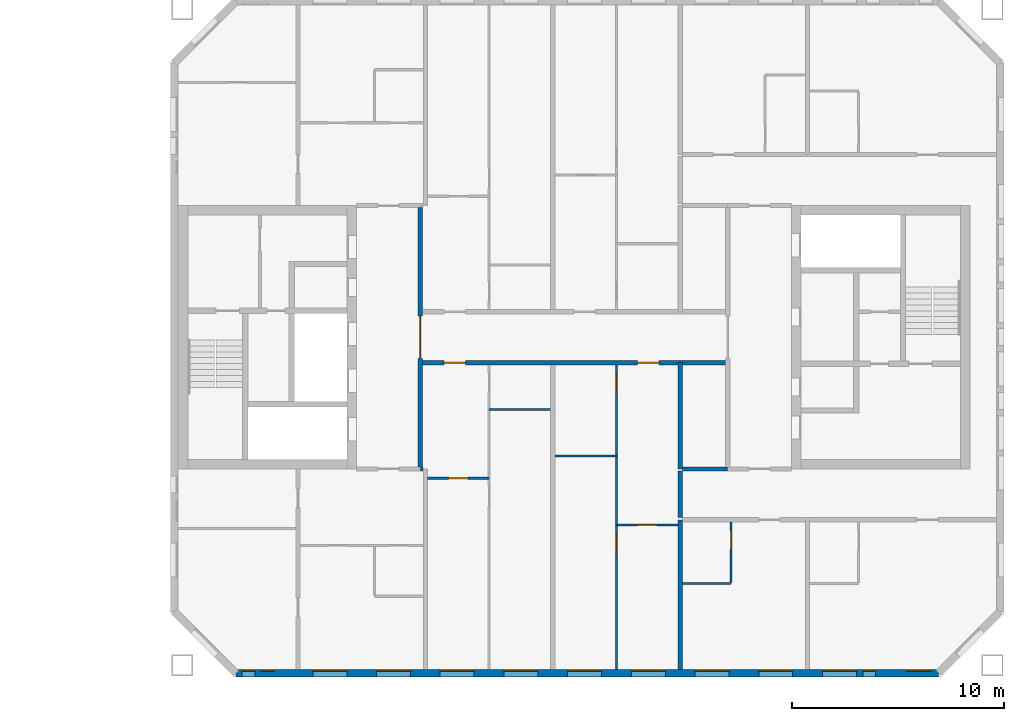
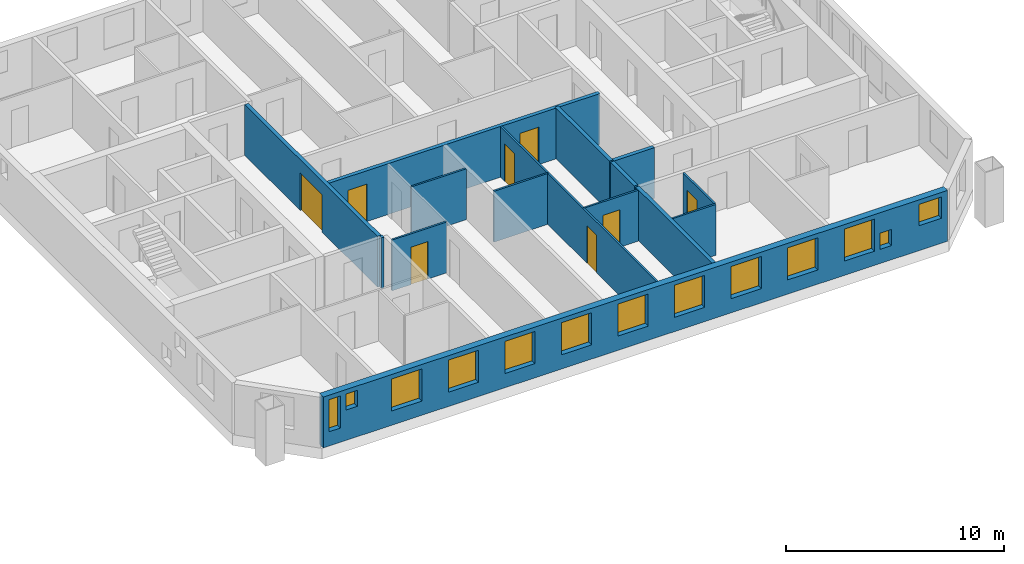
# One storey, part 10 of 16: 15 walls, 13 windows, 8 doors, 21 openings.
"""IFC4 building model written with IfcOpenShell, lengths in metres."""

from ifc_helpers import new_model, si_unit, direction, frame, frame_2d, origin, place, context, subcontext, project, spatial, rectangle, extrude, material, layer, layer_set, type_object, element, fill, save


model = new_model("IFC4")

# Units and contexts
model_context = context("Model", 3, precision=1e-05, world=origin(), true_north=direction((0.0, 1.0)))
body_context = subcontext(model_context, "Body", "Model", "MODEL_VIEW")
ifc_project = project(units=[si_unit("LENGTHUNIT", "METRE"), si_unit("AREAUNIT", "SQUARE_METRE"), si_unit("VOLUMEUNIT", "CUBIC_METRE"), si_unit("PLANEANGLEUNIT", "RADIAN"), si_unit("MASSUNIT", "GRAM", prefix="KILO")], contexts=[model_context])

# Site, building, storey
site_placement = place(None, origin())
site = spatial("IfcSite", under=ifc_project, at=site_placement, CompositionType="ELEMENT")
building_placement = place(site_placement, origin())
building = spatial("IfcBuilding", under=site, at=building_placement, Name="Tuart Gate Housing", CompositionType="ELEMENT")
storey_placement = place(building_placement, frame((0.0, 0.0, 175.800048828125)))
storey = spatial("IfcBuildingStorey", under=building, at=storey_placement, Name="L49", CompositionType="ELEMENT", Elevation=175.800048828125)

# Wall, openings, windows
ifc_material_1 = material(Name="Brick", Category="masonry")
ifc_layer_1 = layer(ifc_material_1, 0.360107421875)
ifc_layer_set_1 = layer_set([ifc_layer_1], Name="Brick pier and spandrel wall 360")
wall_type_1 = type_object("IfcWallType", Name="Brick pier and spandrel wall 360", PredefinedType="STANDARD", material=ifc_layer_set_1)
wall_1_placement = place(storey_placement, frame((134.07470703125, 54.179931640625, 0.0), z_axis=(0.0, 0.0, 1.0), x_axis=(1.0, 0.0, 0.0)))
wall_1 = element("IfcWall", 1, at=wall_1_placement, inside=storey, type_object=wall_type_1, Name="External wall B-S L49", PredefinedType="STANDARD", context=body_context, shape_type="SweptSolid", body=[
    extrude(rectangle(XDim=33.100830078125, YDim=0.360107421875, at=frame_2d((16.55029296875, 0.0))), origin(), (0.0, 0.0, 1.0), 2.849853515625),
])
opening_1_placement = place(wall_1_placement, frame((0.300048828125, 0.0, 0.800048828125)))
opening_1 = element("IfcOpeningElement", 2, at=opening_1_placement, cuts=wall_1, Name="Opening W1E", PredefinedType="OPENING", context=body_context, shape_type="SweptSolid", body=[
    extrude(rectangle(XDim=0.60009765625, YDim=1.800048828125, at=frame_2d((0.300048828125, 0.89990234375))), frame((0.0, 0.18994140625, 0.0), z_axis=(0.0, -1.0, 0.0), x_axis=(1.0, 0.0, 0.0)), (0.0, 0.0, 1.0), 0.380126953125),
])
opening_2_placement = place(wall_1_placement, frame((3.62548828125, 0.0, 0.800048828125)))
opening_2 = element("IfcOpeningElement", 3, at=opening_2_placement, cuts=wall_1, Name="Opening W1", PredefinedType="OPENING", context=body_context, shape_type="SweptSolid", body=[
    extrude(rectangle(XDim=1.60009765625, YDim=1.800048828125, at=frame_2d((0.800048828125, 0.89990234375))), frame((0.0, 0.18994140625, 0.0), z_axis=(0.0, -1.0, 0.0), x_axis=(1.0, 0.0, 0.0)), (0.0, 0.0, 1.0), 0.380126953125),
])
opening_3_placement = place(wall_1_placement, frame((6.62548828125, 0.0, 0.800048828125)))
opening_3 = element("IfcOpeningElement", 4, at=opening_3_placement, cuts=wall_1, Name="Opening W1", PredefinedType="OPENING", context=body_context, shape_type="SweptSolid", body=[
    extrude(rectangle(XDim=1.60009765625, YDim=1.800048828125, at=frame_2d((0.800048828125, 0.89990234375))), frame((0.0, 0.18994140625, 0.0), z_axis=(0.0, -1.0, 0.0), x_axis=(1.0, 0.0, 0.0)), (0.0, 0.0, 1.0), 0.380126953125),
])
opening_4_placement = place(wall_1_placement, frame((9.62548828125, 0.0, 0.800048828125)))
opening_4 = element("IfcOpeningElement", 5, at=opening_4_placement, cuts=wall_1, Name="Opening W1", PredefinedType="OPENING", context=body_context, shape_type="SweptSolid", body=[
    extrude(rectangle(XDim=1.60009765625, YDim=1.800048828125, at=frame_2d((0.800048828125, 0.89990234375))), frame((0.0, 0.18994140625, 0.0), z_axis=(0.0, -1.0, 0.0), x_axis=(1.0, 0.0, 0.0)), (0.0, 0.0, 1.0), 0.380126953125),
])
opening_5_placement = place(wall_1_placement, frame((12.62548828125, 0.0, 0.800048828125)))
opening_5 = element("IfcOpeningElement", 6, at=opening_5_placement, cuts=wall_1, Name="Opening W1", PredefinedType="OPENING", context=body_context, shape_type="SweptSolid", body=[
    extrude(rectangle(XDim=1.60009765625, YDim=1.800048828125, at=frame_2d((0.800048828125, 0.89990234375))), frame((0.0, 0.18994140625, 0.0), z_axis=(0.0, -1.0, 0.0), x_axis=(1.0, 0.0, 0.0)), (0.0, 0.0, 1.0), 0.380126953125),
])
opening_6_placement = place(wall_1_placement, frame((15.62548828125, 0.0, 0.800048828125)))
opening_6 = element("IfcOpeningElement", 7, at=opening_6_placement, cuts=wall_1, Name="Opening W1", PredefinedType="OPENING", context=body_context, shape_type="SweptSolid", body=[
    extrude(rectangle(XDim=1.60009765625, YDim=1.800048828125, at=frame_2d((0.800048828125, 0.89990234375))), frame((0.0, 0.18994140625, 0.0), z_axis=(0.0, -1.0, 0.0), x_axis=(1.0, 0.0, 0.0)), (0.0, 0.0, 1.0), 0.380126953125),
])
opening_7_placement = place(wall_1_placement, frame((18.62548828125, 0.0, 0.800048828125)))
opening_7 = element("IfcOpeningElement", 8, at=opening_7_placement, cuts=wall_1, Name="Opening W1", PredefinedType="OPENING", context=body_context, shape_type="SweptSolid", body=[
    extrude(rectangle(XDim=1.60009765625, YDim=1.800048828125, at=frame_2d((0.800048828125, 0.89990234375))), frame((0.0, 0.18994140625, 0.0), z_axis=(0.0, -1.0, 0.0), x_axis=(1.0, 0.0, 0.0)), (0.0, 0.0, 1.0), 0.380126953125),
])
opening_8_placement = place(wall_1_placement, frame((21.62548828125, 0.0, 0.800048828125)))
opening_8 = element("IfcOpeningElement", 9, at=opening_8_placement, cuts=wall_1, Name="Opening W1", PredefinedType="OPENING", context=body_context, shape_type="SweptSolid", body=[
    extrude(rectangle(XDim=1.60009765625, YDim=1.800048828125, at=frame_2d((0.800048828125, 0.89990234375))), frame((0.0, 0.18994140625, 0.0), z_axis=(0.0, -1.0, 0.0), x_axis=(1.0, 0.0, 0.0)), (0.0, 0.0, 1.0), 0.380126953125),
])
opening_9_placement = place(wall_1_placement, frame((24.62548828125, 0.0, 0.800048828125)))
opening_9 = element("IfcOpeningElement", 10, at=opening_9_placement, cuts=wall_1, Name="Opening W1", PredefinedType="OPENING", context=body_context, shape_type="SweptSolid", body=[
    extrude(rectangle(XDim=1.60009765625, YDim=1.800048828125, at=frame_2d((0.800048828125, 0.89990234375))), frame((0.0, 0.18994140625, 0.0), z_axis=(0.0, -1.0, 0.0), x_axis=(1.0, 0.0, 0.0)), (0.0, 0.0, 1.0), 0.380126953125),
])
opening_10_placement = place(wall_1_placement, frame((27.62548828125, 0.0, 0.800048828125)))
opening_10 = element("IfcOpeningElement", 11, at=opening_10_placement, cuts=wall_1, Name="Opening W1", PredefinedType="OPENING", context=body_context, shape_type="SweptSolid", body=[
    extrude(rectangle(XDim=1.60009765625, YDim=1.800048828125, at=frame_2d((0.800048828125, 0.89990234375))), frame((0.0, 0.18994140625, 0.0), z_axis=(0.0, -1.0, 0.0), x_axis=(1.0, 0.0, 0.0)), (0.0, 0.0, 1.0), 0.380126953125),
])
opening_11_placement = place(wall_1_placement, frame((29.525390625, 0.0, 0.800048828125)))
opening_11 = element("IfcOpeningElement", 12, at=opening_11_placement, cuts=wall_1, Name="Opening W1W", PredefinedType="OPENING", context=body_context, shape_type="SweptSolid", body=[
    extrude(rectangle(XDim=0.60009765625, YDim=0.89990234375, at=frame_2d((0.300048828125, 0.449951171875))), frame((0.0, 0.18994140625, 0.0), z_axis=(0.0, -1.0, 0.0), x_axis=(1.0, 0.0, 0.0)), (0.0, 0.0, 1.0), 0.380126953125),
])
opening_12_placement = place(wall_1_placement, frame((1.199951171875, 0.0, 1.699951171875)))
opening_12 = element("IfcOpeningElement", 13, at=opening_12_placement, cuts=wall_1, Name="Opening W1W", PredefinedType="OPENING", context=body_context, shape_type="SweptSolid", body=[
    extrude(rectangle(XDim=0.60009765625, YDim=0.89990234375, at=frame_2d((0.300048828125, 0.449951171875))), frame((0.0, 0.18994140625, 0.0), z_axis=(0.0, -1.0, 0.0), x_axis=(1.0, 0.0, 0.0)), (0.0, 0.0, 1.0), 0.380126953125),
])
opening_13_placement = place(wall_1_placement, frame((31.575439453125, 0.0, 1.39990234375)))
opening_13 = element("IfcOpeningElement", 14, at=opening_13_placement, cuts=wall_1, Name="Opening W1N", PredefinedType="OPENING", context=body_context, shape_type="SweptSolid", body=[
    extrude(rectangle(XDim=1.199951171875, YDim=1.199951171875, at=frame_2d((0.60009765625, 0.60009765625))), frame((0.0, 0.18994140625, 0.0), z_axis=(0.0, -1.0, 0.0), x_axis=(1.0, 0.0, 0.0)), (0.0, 0.0, 1.0), 0.380126953125),
])
ifc_material_2 = material(Name="Aluminium frame with clear glass", Category="aluminium")
window_type_1 = type_object("IfcWindowType", Name="Punched window 1200 x 1200", PartitioningType="SINGLE_PANEL", PredefinedType="WINDOW", material=ifc_material_2)
window_1_placement = place(opening_13_placement, origin())
window_1 = element("IfcWindow", 15, at=window_1_placement, inside=storey, type_object=window_type_1, Name="Window W1N", OverallHeight=1.199951171875, OverallWidth=1.199951171875, PartitioningType="SINGLE_PANEL", PredefinedType="WINDOW", context=body_context, shape_type="SweptSolid", body=[
    extrude(rectangle(XDim=1.199951171875, YDim=1.199951171875, at=frame_2d((0.60009765625, 0.60009765625))), frame((0.0, 0.150146484375, 0.0), z_axis=(0.0, -1.0, 0.0), x_axis=(1.0, 0.0, 0.0)), (0.0, 0.0, 1.0), 0.06005859375),
])
fill(opening_13, window_1)
ifc_material_3 = material(Name="Aluminium frame with clear glass", Category="aluminium")
window_type_2 = type_object("IfcWindowType", Name="Punched window 1600 x 1800", PartitioningType="SINGLE_PANEL", PredefinedType="WINDOW", material=ifc_material_3)
window_2_placement = place(opening_2_placement, origin())
window_2 = element("IfcWindow", 16, at=window_2_placement, inside=storey, type_object=window_type_2, Name="Window W1", OverallHeight=1.800048828125, OverallWidth=1.60009765625, PartitioningType="SINGLE_PANEL", PredefinedType="WINDOW", context=body_context, shape_type="SweptSolid", body=[
    extrude(rectangle(XDim=1.60009765625, YDim=1.800048828125, at=frame_2d((0.800048828125, 0.89990234375))), frame((0.0, 0.150146484375, 0.0), z_axis=(0.0, -1.0, 0.0), x_axis=(1.0, 0.0, 0.0)), (0.0, 0.0, 1.0), 0.06005859375),
])
fill(opening_2, window_2)
window_3_placement = place(opening_3_placement, origin())
window_3 = element("IfcWindow", 17, at=window_3_placement, inside=storey, type_object=window_type_2, Name="Window W1", OverallHeight=1.800048828125, OverallWidth=1.60009765625, PartitioningType="SINGLE_PANEL", PredefinedType="WINDOW", context=body_context, shape_type="SweptSolid", body=[
    extrude(rectangle(XDim=1.60009765625, YDim=1.800048828125, at=frame_2d((0.800048828125, 0.89990234375))), frame((0.0, 0.150146484375, 0.0), z_axis=(0.0, -1.0, 0.0), x_axis=(1.0, 0.0, 0.0)), (0.0, 0.0, 1.0), 0.06005859375),
])
fill(opening_3, window_3)
window_4_placement = place(opening_4_placement, origin())
window_4 = element("IfcWindow", 18, at=window_4_placement, inside=storey, type_object=window_type_2, Name="Window W1", OverallHeight=1.800048828125, OverallWidth=1.60009765625, PartitioningType="SINGLE_PANEL", PredefinedType="WINDOW", context=body_context, shape_type="SweptSolid", body=[
    extrude(rectangle(XDim=1.60009765625, YDim=1.800048828125, at=frame_2d((0.800048828125, 0.89990234375))), frame((0.0, 0.150146484375, 0.0), z_axis=(0.0, -1.0, 0.0), x_axis=(1.0, 0.0, 0.0)), (0.0, 0.0, 1.0), 0.06005859375),
])
fill(opening_4, window_4)
window_5_placement = place(opening_5_placement, origin())
window_5 = element("IfcWindow", 19, at=window_5_placement, inside=storey, type_object=window_type_2, Name="Window W1", OverallHeight=1.800048828125, OverallWidth=1.60009765625, PartitioningType="SINGLE_PANEL", PredefinedType="WINDOW", context=body_context, shape_type="SweptSolid", body=[
    extrude(rectangle(XDim=1.60009765625, YDim=1.800048828125, at=frame_2d((0.800048828125, 0.89990234375))), frame((0.0, 0.150146484375, 0.0), z_axis=(0.0, -1.0, 0.0), x_axis=(1.0, 0.0, 0.0)), (0.0, 0.0, 1.0), 0.06005859375),
])
fill(opening_5, window_5)
window_6_placement = place(opening_6_placement, origin())
window_6 = element("IfcWindow", 20, at=window_6_placement, inside=storey, type_object=window_type_2, Name="Window W1", OverallHeight=1.800048828125, OverallWidth=1.60009765625, PartitioningType="SINGLE_PANEL", PredefinedType="WINDOW", context=body_context, shape_type="SweptSolid", body=[
    extrude(rectangle(XDim=1.60009765625, YDim=1.800048828125, at=frame_2d((0.800048828125, 0.89990234375))), frame((0.0, 0.150146484375, 0.0), z_axis=(0.0, -1.0, 0.0), x_axis=(1.0, 0.0, 0.0)), (0.0, 0.0, 1.0), 0.06005859375),
])
fill(opening_6, window_6)
window_7_placement = place(opening_7_placement, origin())
window_7 = element("IfcWindow", 21, at=window_7_placement, inside=storey, type_object=window_type_2, Name="Window W1", OverallHeight=1.800048828125, OverallWidth=1.60009765625, PartitioningType="SINGLE_PANEL", PredefinedType="WINDOW", context=body_context, shape_type="SweptSolid", body=[
    extrude(rectangle(XDim=1.60009765625, YDim=1.800048828125, at=frame_2d((0.800048828125, 0.89990234375))), frame((0.0, 0.150146484375, 0.0), z_axis=(0.0, -1.0, 0.0), x_axis=(1.0, 0.0, 0.0)), (0.0, 0.0, 1.0), 0.06005859375),
])
fill(opening_7, window_7)
window_8_placement = place(opening_8_placement, origin())
window_8 = element("IfcWindow", 22, at=window_8_placement, inside=storey, type_object=window_type_2, Name="Window W1", OverallHeight=1.800048828125, OverallWidth=1.60009765625, PartitioningType="SINGLE_PANEL", PredefinedType="WINDOW", context=body_context, shape_type="SweptSolid", body=[
    extrude(rectangle(XDim=1.60009765625, YDim=1.800048828125, at=frame_2d((0.800048828125, 0.89990234375))), frame((0.0, 0.150146484375, 0.0), z_axis=(0.0, -1.0, 0.0), x_axis=(1.0, 0.0, 0.0)), (0.0, 0.0, 1.0), 0.06005859375),
])
fill(opening_8, window_8)
window_9_placement = place(opening_9_placement, origin())
window_9 = element("IfcWindow", 23, at=window_9_placement, inside=storey, type_object=window_type_2, Name="Window W1", OverallHeight=1.800048828125, OverallWidth=1.60009765625, PartitioningType="SINGLE_PANEL", PredefinedType="WINDOW", context=body_context, shape_type="SweptSolid", body=[
    extrude(rectangle(XDim=1.60009765625, YDim=1.800048828125, at=frame_2d((0.800048828125, 0.89990234375))), frame((0.0, 0.150146484375, 0.0), z_axis=(0.0, -1.0, 0.0), x_axis=(1.0, 0.0, 0.0)), (0.0, 0.0, 1.0), 0.06005859375),
])
fill(opening_9, window_9)
window_10_placement = place(opening_10_placement, origin())
window_10 = element("IfcWindow", 24, at=window_10_placement, inside=storey, type_object=window_type_2, Name="Window W1", OverallHeight=1.800048828125, OverallWidth=1.60009765625, PartitioningType="SINGLE_PANEL", PredefinedType="WINDOW", context=body_context, shape_type="SweptSolid", body=[
    extrude(rectangle(XDim=1.60009765625, YDim=1.800048828125, at=frame_2d((0.800048828125, 0.89990234375))), frame((0.0, 0.150146484375, 0.0), z_axis=(0.0, -1.0, 0.0), x_axis=(1.0, 0.0, 0.0)), (0.0, 0.0, 1.0), 0.06005859375),
])
fill(opening_10, window_10)
ifc_material_4 = material(Name="Aluminium frame with clear glass", Category="aluminium")
window_type_3 = type_object("IfcWindowType", Name="Punched window 600 x 1800", PartitioningType="SINGLE_PANEL", PredefinedType="WINDOW", material=ifc_material_4)
window_11_placement = place(opening_1_placement, origin())
window_11 = element("IfcWindow", 25, at=window_11_placement, inside=storey, type_object=window_type_3, Name="Window W1E", OverallHeight=1.800048828125, OverallWidth=0.60009765625, PartitioningType="SINGLE_PANEL", PredefinedType="WINDOW", context=body_context, shape_type="SweptSolid", body=[
    extrude(rectangle(XDim=0.60009765625, YDim=1.800048828125, at=frame_2d((0.300048828125, 0.89990234375))), frame((0.0, 0.150146484375, 0.0), z_axis=(0.0, -1.0, 0.0), x_axis=(1.0, 0.0, 0.0)), (0.0, 0.0, 1.0), 0.06005859375),
])
fill(opening_1, window_11)
ifc_material_5 = material(Name="Aluminium frame with clear glass", Category="aluminium")
window_type_4 = type_object("IfcWindowType", Name="Punched window 600 x 900", PartitioningType="SINGLE_PANEL", PredefinedType="WINDOW", material=ifc_material_5)
window_12_placement = place(opening_11_placement, origin())
window_12 = element("IfcWindow", 26, at=window_12_placement, inside=storey, type_object=window_type_4, Name="Window W1W", OverallHeight=0.89990234375, OverallWidth=0.60009765625, PartitioningType="SINGLE_PANEL", PredefinedType="WINDOW", context=body_context, shape_type="SweptSolid", body=[
    extrude(rectangle(XDim=0.60009765625, YDim=0.89990234375, at=frame_2d((0.300048828125, 0.449951171875))), frame((0.0, 0.150146484375, 0.0), z_axis=(0.0, -1.0, 0.0), x_axis=(1.0, 0.0, 0.0)), (0.0, 0.0, 1.0), 0.06005859375),
])
fill(opening_11, window_12)
window_13_placement = place(opening_12_placement, origin())
window_13 = element("IfcWindow", 27, at=window_13_placement, inside=storey, type_object=window_type_4, Name="Window W1W", OverallHeight=0.89990234375, OverallWidth=0.60009765625, PartitioningType="SINGLE_PANEL", PredefinedType="WINDOW", context=body_context, shape_type="SweptSolid", body=[
    extrude(rectangle(XDim=0.60009765625, YDim=0.89990234375, at=frame_2d((0.300048828125, 0.449951171875))), frame((0.0, 0.150146484375, 0.0), z_axis=(0.0, -1.0, 0.0), x_axis=(1.0, 0.0, 0.0)), (0.0, 0.0, 1.0), 0.06005859375),
])
fill(opening_12, window_13)

# Wall
ifc_material_6 = material(Name="Concrete masonry 15 MPa", Category="masonry")
ifc_layer_2 = layer(ifc_material_6, 0.199951171875)
ifc_layer_set_2 = layer_set([ifc_layer_2], Name="Corridor wall masonry 200")
wall_type_2 = type_object("IfcWallType", Name="Corridor wall masonry 200", PredefinedType="PARTITIONING", material=ifc_layer_set_2)
wall_2_placement = place(storey_placement, frame((155.10009765625, 63.800048828125, 0.0), z_axis=(0.0, 0.0, 1.0), x_axis=(1.0, 0.0, 0.0)))
element("IfcWall", 28, at=wall_2_placement, inside=storey, type_object=wall_type_2, Name="Corridor wall masonry 200", PredefinedType="PARTITIONING", context=body_context, shape_type="SweptSolid", body=[
    extrude(rectangle(XDim=2.139892578125, YDim=0.199951171875, at=frame_2d((1.06982421875, 0.0))), origin(), (0.0, 0.0, 1.0), 2.849853515625),
])

# Wall, openings, doors
wall_3_placement = place(storey_placement, frame((142.760009765625, 68.800048828125, 0.0), z_axis=(0.0, 0.0, 1.0), x_axis=(1.0, 0.0, 0.0)))
wall_3 = element("IfcWall", 29, at=wall_3_placement, inside=storey, type_object=wall_type_2, Name="Corridor wall masonry 200", PredefinedType="PARTITIONING", context=body_context, shape_type="SweptSolid", body=[
    extrude(rectangle(XDim=14.47998046875, YDim=0.199951171875, at=frame_2d((7.239990234375, 0.0))), origin(), (0.0, 0.0, 1.0), 2.849853515625),
])
opening_14_placement = place(wall_3_placement, frame((1.1201171875, 0.0, 0.0)))
opening_14 = element("IfcOpeningElement", 30, at=opening_14_placement, cuts=wall_3, Name="Opening D1820", PredefinedType="OPENING", context=body_context, shape_type="SweptSolid", body=[
    extrude(rectangle(XDim=1.0, YDim=2.10009765625, at=frame_2d((0.5, 1.050048828125))), frame((0.0, 0.10986328125, 0.0), z_axis=(0.0, -1.0, 0.0), x_axis=(1.0, 0.0, 0.0)), (0.0, 0.0, 1.0), 0.219970703125),
])
opening_15_placement = place(wall_3_placement, frame((10.239990234375, 0.0, 0.0)))
opening_15 = element("IfcOpeningElement", 31, at=opening_15_placement, cuts=wall_3, Name="Opening D1821", PredefinedType="OPENING", context=body_context, shape_type="SweptSolid", body=[
    extrude(rectangle(XDim=1.0, YDim=2.10009765625, at=frame_2d((0.5, 1.050048828125))), frame((0.0, 0.10986328125, 0.0), z_axis=(0.0, -1.0, 0.0), x_axis=(1.0, 0.0, 0.0)), (0.0, 0.0, 1.0), 0.219970703125),
])
ifc_material_7 = material(Name="Timber door leaf in steel frame", Category="steel")
door_type_1 = type_object("IfcDoorType", Name="Flat entrance door 1000 RH", OperationType="SINGLE_SWING_RIGHT", PredefinedType="DOOR", material=ifc_material_7)
door_1_placement = place(opening_14_placement, frame((1.0, 0.0, 0.0), z_axis=(0.0, 0.0, 1.0), x_axis=(-1.0, 0.0, 0.0)))
door_1 = element("IfcDoor", 32, at=door_1_placement, inside=storey, type_object=door_type_1, Name="Flat entrance door", OperationType="SINGLE_SWING_RIGHT", OverallHeight=2.10009765625, OverallWidth=1.0, PredefinedType="DOOR", context=body_context, shape_type="SweptSolid", body=[
    extrude(rectangle(XDim=1.0, YDim=2.10009765625, at=frame_2d((0.5, 1.050048828125))), frame((0.0, 0.025146484375, 0.0), z_axis=(0.0, -1.0, 0.0), x_axis=(1.0, 0.0, 0.0)), (0.0, 0.0, 1.0), 0.050048828125),
])
fill(opening_14, door_1)
door_2_placement = place(opening_15_placement, frame((1.0, 0.0, 0.0), z_axis=(0.0, 0.0, 1.0), x_axis=(-1.0, 0.0, 0.0)))
door_2 = element("IfcDoor", 33, at=door_2_placement, inside=storey, type_object=door_type_1, Name="Flat entrance door", OperationType="SINGLE_SWING_RIGHT", OverallHeight=2.10009765625, OverallWidth=1.0, PredefinedType="DOOR", context=body_context, shape_type="SweptSolid", body=[
    extrude(rectangle(XDim=1.0, YDim=2.10009765625, at=frame_2d((0.5, 1.050048828125))), frame((0.0, 0.025146484375, 0.0), z_axis=(0.0, -1.0, 0.0), x_axis=(1.0, 0.0, 0.0)), (0.0, 0.0, 1.0), 0.050048828125),
])
fill(opening_15, door_2)

# Wall
wall_4_placement = place(storey_placement, frame((155.0, 61.5, 0.0), z_axis=(0.0, 0.0, 1.0), x_axis=(0.0, 1.0, 0.0)))
element("IfcWall", 34, at=wall_4_placement, inside=storey, type_object=wall_type_2, Name="Corridor wall masonry 200", PredefinedType="PARTITIONING", context=body_context, shape_type="SweptSolid", body=[
    extrude(rectangle(XDim=2.199951171875, YDim=0.199951171875, at=frame_2d((1.10009765625, 0.0))), origin(), (0.0, 0.0, 1.0), 2.849853515625),
])

# Wall, opening, door
ifc_material_8 = material(Name="Plasterboard partition")
ifc_layer_3 = layer(ifc_material_8, 0.199951171875)
ifc_layer_set_3 = layer_set([ifc_layer_3], Name="Lobby wall 200")
wall_type_3 = type_object("IfcWallType", Name="Lobby wall 200", PredefinedType="PARTITIONING", material=ifc_layer_set_3)
wall_5_placement = place(storey_placement, frame((142.760009765625, 63.89990234375, 0.0), z_axis=(0.0, 0.0, 1.0), x_axis=(0.0, 1.0, 0.0)))
wall_5 = element("IfcWall", 35, at=wall_5_placement, inside=storey, type_object=wall_type_3, Name="Lift lobby wall BG", PredefinedType="PARTITIONING", context=body_context, shape_type="SweptSolid", body=[
    extrude(rectangle(XDim=12.2001953125, YDim=0.199951171875, at=frame_2d((6.10009765625, 0.0))), origin(), (0.0, 0.0, 1.0), 2.849853515625),
])
opening_16_placement = place(wall_5_placement, frame((5.10009765625, 0.0, 0.0)))
opening_16 = element("IfcOpeningElement", 36, at=opening_16_placement, cuts=wall_5, Name="Opening D1815", PredefinedType="OPENING", context=body_context, shape_type="SweptSolid", body=[
    extrude(rectangle(XDim=2.0, YDim=2.10009765625, at=frame_2d((1.0, 1.050048828125))), frame((0.0, 0.10986328125, 0.0), z_axis=(0.0, -1.0, 0.0), x_axis=(1.0, 0.0, 0.0)), (0.0, 0.0, 1.0), 0.219970703125),
])
ifc_material_9 = material(Name="Steel fire door", Category="steel")
door_type_2 = type_object("IfcDoorType", Name="Smoke door 2000 x 2100", OperationType="DOUBLE_DOOR_SINGLE_SWING", PredefinedType="DOOR", material=ifc_material_9)
door_3_placement = place(opening_16_placement, origin())
door_3 = element("IfcDoor", 37, at=door_3_placement, inside=storey, type_object=door_type_2, Name="Lift lobby smoke door BG", OperationType="DOUBLE_DOOR_SINGLE_SWING", OverallHeight=2.10009765625, OverallWidth=2.0, PredefinedType="DOOR", context=body_context, shape_type="SweptSolid", body=[
    extrude(rectangle(XDim=2.0, YDim=2.10009765625, at=frame_2d((1.0, 1.050048828125))), frame((0.0, 0.02490234375, 0.0), z_axis=(0.0, -1.0, 0.0), x_axis=(1.0, 0.0, 0.0)), (0.0, 0.0, 1.0), 0.050048828125),
])
fill(opening_16, door_3)

# Wall
ifc_material_10 = material(Name="Gypsum board on steel studs", Category="steel")
ifc_layer_4 = layer(ifc_material_10, 0.10009765625)
ifc_layer_set_4 = layer_set([ifc_layer_4], Name="Partition 100")
wall_type_4 = type_object("IfcWallType", Name="Partition 100", PredefinedType="PARTITIONING", material=ifc_layer_set_4)
wall_6_placement = place(storey_placement, frame((155.10009765625, 58.39990234375, 0.0), z_axis=(0.0, 0.0, 1.0), x_axis=(1.0, 0.0, 0.0)))
element("IfcWall", 38, at=wall_6_placement, inside=storey, type_object=wall_type_4, Name="Partition 100", PredefinedType="PARTITIONING", context=body_context, shape_type="SweptSolid", body=[
    extrude(rectangle(XDim=2.2998046875, YDim=0.10009765625, at=frame_2d((1.14990234375, 0.0))), origin(), (0.0, 0.0, 1.0), 2.849853515625),
])

# Wall, opening, door
wall_7_placement = place(storey_placement, frame((152.0, 61.159912109375, 0.0), z_axis=(0.0, 0.0, 1.0), x_axis=(1.0, 0.0, 0.0)))
wall_7 = element("IfcWall", 39, at=wall_7_placement, inside=storey, type_object=wall_type_4, Name="Partition 100", PredefinedType="PARTITIONING", context=body_context, shape_type="SweptSolid", body=[
    extrude(rectangle(XDim=2.89990234375, YDim=0.10009765625, at=frame_2d((1.449951171875, 0.0))), origin(), (0.0, 0.0, 1.0), 2.849853515625),
])
opening_17_placement = place(wall_7_placement, frame((1.0, 0.0, 0.0)))
opening_17 = element("IfcOpeningElement", 40, at=opening_17_placement, cuts=wall_7, Name="Opening D1833", PredefinedType="OPENING", context=body_context, shape_type="SweptSolid", body=[
    extrude(rectangle(XDim=0.89990234375, YDim=2.10009765625, at=frame_2d((0.449951171875, 1.050048828125))), frame((0.0, 0.06005859375, 0.0), z_axis=(0.0, -1.0, 0.0), x_axis=(1.0, 0.0, 0.0)), (0.0, 0.0, 1.0), 0.1201171875),
])
ifc_material_11 = material(Name="Timber door leaf in steel frame", Category="steel")
door_type_3 = type_object("IfcDoorType", Name="Internal door 900", OperationType="SINGLE_SWING_LEFT", PredefinedType="DOOR", material=ifc_material_11)
door_4_placement = place(opening_17_placement, origin())
door_4 = element("IfcDoor", 41, at=door_4_placement, inside=storey, type_object=door_type_3, Name="Internal door", OperationType="SINGLE_SWING_LEFT", OverallHeight=2.10009765625, OverallWidth=0.89990234375, PredefinedType="DOOR", context=body_context, shape_type="SweptSolid", body=[
    extrude(rectangle(XDim=0.89990234375, YDim=2.10009765625, at=frame_2d((0.449951171875, 1.050048828125))), frame((0.0, 0.02490234375, 0.0), z_axis=(0.0, -1.0, 0.0), x_axis=(1.0, 0.0, 0.0)), (0.0, 0.0, 1.0), 0.050048828125),
])
fill(opening_17, door_4)

wall_8_placement = place(storey_placement, frame((143.10009765625, 63.360107421875, 0.0), z_axis=(0.0, 0.0, 1.0), x_axis=(1.0, 0.0, 0.0)))
wall_8 = element("IfcWall", 42, at=wall_8_placement, inside=storey, type_object=wall_type_4, Name="Partition 100", PredefinedType="PARTITIONING", context=body_context, shape_type="SweptSolid", body=[
    extrude(rectangle(XDim=2.89990234375, YDim=0.10009765625, at=frame_2d((1.449951171875, 0.0))), origin(), (0.0, 0.0, 1.0), 2.849853515625),
])
opening_18_placement = place(wall_8_placement, frame((1.0, 0.0, 0.0)))
opening_18 = element("IfcOpeningElement", 43, at=opening_18_placement, cuts=wall_8, Name="Opening D1826", PredefinedType="OPENING", context=body_context, shape_type="SweptSolid", body=[
    extrude(rectangle(XDim=0.89990234375, YDim=2.10009765625, at=frame_2d((0.449951171875, 1.050048828125))), frame((0.0, 0.06005859375, 0.0), z_axis=(0.0, -1.0, 0.0), x_axis=(1.0, 0.0, 0.0)), (0.0, 0.0, 1.0), 0.1201171875),
])
ifc_material_12 = material(Name="Timber door leaf in steel frame", Category="steel")
door_type_4 = type_object("IfcDoorType", Name="Internal door 900 RH", OperationType="SINGLE_SWING_RIGHT", PredefinedType="DOOR", material=ifc_material_12)
door_5_placement = place(opening_18_placement, origin())
door_5 = element("IfcDoor", 44, at=door_5_placement, inside=storey, type_object=door_type_4, Name="Internal door", OperationType="SINGLE_SWING_RIGHT", OverallHeight=2.10009765625, OverallWidth=0.89990234375, PredefinedType="DOOR", context=body_context, shape_type="SweptSolid", body=[
    extrude(rectangle(XDim=0.89990234375, YDim=2.10009765625, at=frame_2d((0.449951171875, 1.050048828125))), frame((0.0, 0.02490234375, 0.0), z_axis=(0.0, -1.0, 0.0), x_axis=(1.0, 0.0, 0.0)), (0.0, 0.0, 1.0), 0.050048828125),
])
fill(opening_18, door_5)

# Walls
for number, where, z_axis, x_axis, name in (
    (45, (149.10009765625, 64.39990234375, 0.0), (0.0, 0.0, 1.0), (1.0, 0.0, 0.0), "Partition 100"),
    (46, (146.0, 66.60009765625, 0.0), (0.0, 0.0, 1.0), (1.0, 0.0, 0.0), "Partition 100"),
):
    element("IfcWall", number, at=place(storey_placement, frame(where, z_axis=z_axis, x_axis=x_axis)), inside=storey, type_object=wall_type_4, Name=name, PredefinedType="PARTITIONING", context=body_context, shape_type="SweptSolid", body=[
        extrude(rectangle(XDim=2.89990234375, YDim=0.10009765625, at=frame_2d((1.449951171875, 0.0))), origin(), (0.0, 0.0, 1.0), 2.849853515625),
    ])

# Wall, openings, doors
wall_9_placement = place(storey_placement, frame((152.0, 54.360107421875, 0.0), z_axis=(0.0, 0.0, 1.0), x_axis=(0.0, 1.0, 0.0)))
wall_9 = element("IfcWall", 47, at=wall_9_placement, inside=storey, type_object=wall_type_4, Name="Partition 100", PredefinedType="PARTITIONING", context=body_context, shape_type="SweptSolid", body=[
    extrude(rectangle(XDim=14.33984375, YDim=0.10009765625, at=frame_2d((7.169921875, 0.0))), origin(), (0.0, 0.0, 1.0), 2.849853515625),
])
opening_19_placement = place(wall_9_placement, frame((5.5, 0.0, 0.0)))
opening_19 = element("IfcOpeningElement", 48, at=opening_19_placement, cuts=wall_9, Name="Opening D1830", PredefinedType="OPENING", context=body_context, shape_type="SweptSolid", body=[
    extrude(rectangle(XDim=0.89990234375, YDim=2.10009765625, at=frame_2d((0.449951171875, 1.050048828125))), frame((0.0, 0.06005859375, 0.0), z_axis=(0.0, -1.0, 0.0), x_axis=(1.0, 0.0, 0.0)), (0.0, 0.0, 1.0), 0.1201171875),
])
opening_20_placement = place(wall_9_placement, frame((13.0400390625, 0.0, 0.0)))
opening_20 = element("IfcOpeningElement", 49, at=opening_20_placement, cuts=wall_9, Name="Opening D1829", PredefinedType="OPENING", context=body_context, shape_type="SweptSolid", body=[
    extrude(rectangle(XDim=0.89990234375, YDim=2.10009765625, at=frame_2d((0.449951171875, 1.050048828125))), frame((0.0, 0.06005859375, 0.0), z_axis=(0.0, -1.0, 0.0), x_axis=(1.0, 0.0, 0.0)), (0.0, 0.0, 1.0), 0.1201171875),
])
ifc_material_13 = material(Name="Timber door leaf in steel frame", Category="steel")
door_type_5 = type_object("IfcDoorType", Name="Bathroom door 900 RH", OperationType="SINGLE_SWING_RIGHT", PredefinedType="DOOR", material=ifc_material_13)
door_6_placement = place(opening_20_placement, origin())
door_6 = element("IfcDoor", 50, at=door_6_placement, inside=storey, type_object=door_type_5, Name="Bathroom door", OperationType="SINGLE_SWING_RIGHT", OverallHeight=2.10009765625, OverallWidth=0.89990234375, PredefinedType="DOOR", context=body_context, shape_type="SweptSolid", body=[
    extrude(rectangle(XDim=0.89990234375, YDim=2.10009765625, at=frame_2d((0.449951171875, 1.050048828125))), frame((0.0, 0.02490234375, 0.0), z_axis=(0.0, -1.0, 0.0), x_axis=(1.0, 0.0, 0.0)), (0.0, 0.0, 1.0), 0.050048828125),
])
fill(opening_20, door_6)
door_7_placement = place(opening_19_placement, origin())
door_7 = element("IfcDoor", 51, at=door_7_placement, inside=storey, type_object=door_type_4, Name="Internal door", OperationType="SINGLE_SWING_RIGHT", OverallHeight=2.10009765625, OverallWidth=0.89990234375, PredefinedType="DOOR", context=body_context, shape_type="SweptSolid", body=[
    extrude(rectangle(XDim=0.89990234375, YDim=2.10009765625, at=frame_2d((0.449951171875, 1.050048828125))), frame((0.0, 0.02490234375, 0.0), z_axis=(0.0, -1.0, 0.0), x_axis=(1.0, 0.0, 0.0)), (0.0, 0.0, 1.0), 0.050048828125),
])
fill(opening_19, door_7)

# Wall, opening, door
wall_10_placement = place(storey_placement, frame((157.39990234375, 58.449951171875, 0.0), z_axis=(0.0, 0.0, 1.0), x_axis=(0.0, 1.0, 0.0)))
wall_10 = element("IfcWall", 52, at=wall_10_placement, inside=storey, type_object=wall_type_4, Name="Partition 100", PredefinedType="PARTITIONING", context=body_context, shape_type="SweptSolid", body=[
    extrude(rectangle(XDim=2.85009765625, YDim=0.10009765625, at=frame_2d((1.425048828125, 0.0))), origin(), (0.0, 0.0, 1.0), 2.849853515625),
])
opening_21_placement = place(wall_10_placement, frame((1.550048828125, 0.0, 0.0)))
opening_21 = element("IfcOpeningElement", 53, at=opening_21_placement, cuts=wall_10, Name="Opening D1836", PredefinedType="OPENING", context=body_context, shape_type="SweptSolid", body=[
    extrude(rectangle(XDim=0.89990234375, YDim=2.10009765625, at=frame_2d((0.449951171875, 1.050048828125))), frame((0.0, 0.06005859375, 0.0), z_axis=(0.0, -1.0, 0.0), x_axis=(1.0, 0.0, 0.0)), (0.0, 0.0, 1.0), 0.1201171875),
])
door_8_placement = place(opening_21_placement, origin())
door_8 = element("IfcDoor", 54, at=door_8_placement, inside=storey, type_object=door_type_5, Name="Bathroom door", OperationType="SINGLE_SWING_RIGHT", OverallHeight=2.10009765625, OverallWidth=0.89990234375, PredefinedType="DOOR", context=body_context, shape_type="SweptSolid", body=[
    extrude(rectangle(XDim=0.89990234375, YDim=2.10009765625, at=frame_2d((0.449951171875, 1.050048828125))), frame((0.0, 0.02490234375, 0.0), z_axis=(0.0, -1.0, 0.0), x_axis=(1.0, 0.0, 0.0)), (0.0, 0.0, 1.0), 0.050048828125),
])
fill(opening_21, door_8)

# Walls
ifc_material_14 = material(Name="Concrete C40", Category="concrete")
ifc_layer_5 = layer(ifc_material_14, 0.199951171875)
ifc_layer_set_5 = layer_set([ifc_layer_5], Name="Party wall concrete C40 200")
wall_type_5 = type_object("IfcWallType", Name="Party wall concrete C40 200", PredefinedType="SOLIDWALL", material=ifc_layer_set_5)
wall_11_placement = place(storey_placement, frame((155.0, 54.360107421875, 0.0), z_axis=(0.0, 0.0, 1.0), x_axis=(0.0, 1.0, 0.0)))
element("IfcWall", 55, at=wall_11_placement, inside=storey, type_object=wall_type_5, Name="Party wall concrete C40 200", PredefinedType="SOLIDWALL", context=body_context, shape_type="SweptSolid", body=[
    extrude(rectangle(XDim=7.039794921875, YDim=0.199951171875, at=frame_2d((3.52001953125, 0.0))), origin(), (0.0, 0.0, 1.0), 2.849853515625),
])
wall_12_placement = place(storey_placement, frame((155.0, 63.800048828125, 0.0), z_axis=(0.0, 0.0, 1.0), x_axis=(0.0, 1.0, 0.0)))
element("IfcWall", 56, at=wall_12_placement, inside=storey, type_object=wall_type_5, Name="Party wall concrete C40 200", PredefinedType="SOLIDWALL", context=body_context, shape_type="SweptSolid", body=[
    extrude(rectangle(XDim=5.0, YDim=0.199951171875, at=frame_2d((2.5, 0.0))), origin(), (0.0, 0.0, 1.0), 2.849853515625),
])
ifc_material_15 = material(Name="Concrete masonry 15 MPa", Category="masonry")
ifc_layer_6 = layer(ifc_material_15, 0.199951171875)
ifc_layer_set_6 = layer_set([ifc_layer_6], Name="Party wall masonry 200")
wall_type_6 = type_object("IfcWallType", Name="Party wall masonry 200", PredefinedType="PARTITIONING", material=ifc_layer_set_6)
wall_13_placement = place(storey_placement, frame((142.760009765625, 63.800048828125, 0.0), z_axis=(0.0, 0.0, 1.0), x_axis=(1.0, 0.0, 0.0)))
element("IfcWall", 57, at=wall_13_placement, inside=storey, type_object=wall_type_6, Name="Party wall masonry 200", PredefinedType="PARTITIONING", context=body_context, shape_type="SweptSolid", body=[
    extrude(rectangle(XDim=0.139892578125, YDim=0.199951171875, at=frame_2d((0.06982421875, 0.0))), origin(), (0.0, 0.0, 1.0), 2.849853515625),
])

save(model, "model.ifc")
